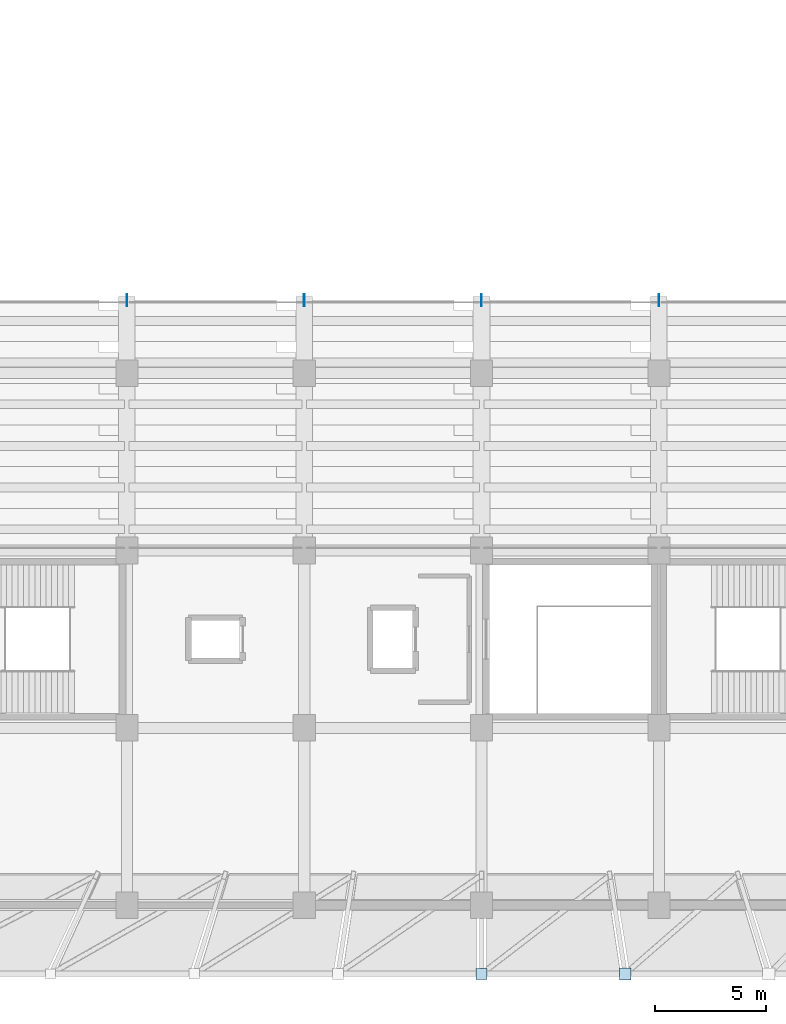
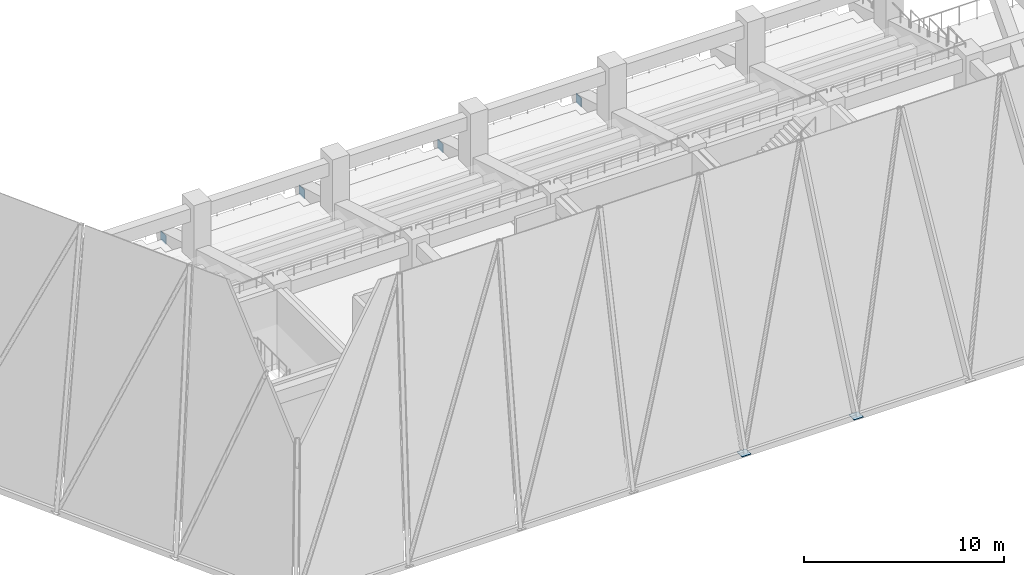
# One storey, part 8 of 24: 6 plates.
"""IFC4 building model written with IfcOpenShell, lengths in metres."""

from ifc_helpers import new_model, si_unit, direction, frame, origin, origin_2d, place, context, subcontext, project, spatial, rectangle, extrude, material, layer, layer_set, type_object, element, save


model = new_model("IFC4")

# Units and contexts
model_context = context("Model", 3, precision=1e-05, world=origin(), true_north=direction((0.0, 1.0)))
body_context = subcontext(model_context, "Body", "Model", "MODEL_VIEW")
ifc_project = project(units=[si_unit("LENGTHUNIT", "METRE"), si_unit("AREAUNIT", "SQUARE_METRE"), si_unit("VOLUMEUNIT", "CUBIC_METRE"), si_unit("PLANEANGLEUNIT", "RADIAN"), si_unit("MASSUNIT", "GRAM", prefix="KILO")], contexts=[model_context])

# Site, building, storey
site_placement = place(None, origin())
site = spatial("IfcSite", under=ifc_project, at=site_placement, CompositionType="ELEMENT")
building_placement = place(site_placement, origin())
building = spatial("IfcBuilding", under=site, at=building_placement, Name="Tazarka Park Arena", CompositionType="ELEMENT")
storey_placement = place(building_placement, frame((0.0, 0.0, 15.0)))
storey = spatial("IfcBuildingStorey", under=building, at=storey_placement, Name="L03", CompositionType="ELEMENT", Elevation=15.0)

# Plates
ifc_material_1 = material(Name="Steel S460", Category="steel")
ifc_layer_1 = layer(ifc_material_1, 0.031982421875, Name="Steel S460")
ifc_layer_set_1 = layer_set([ifc_layer_1], Name="Steel S460")
plate_type_1 = type_object("IfcPlateType", Name="PLT-PL-12", PredefinedType="USERDEFINED", material=ifc_layer_set_1)
for number, where, z_axis, x_axis, name in (
    (1, (72.0, 43.300048828125, 0.060546875), (0.0, 0.0, 1.0), (1.0, 0.0, 0.0), "RKP-S-09-2"),
    (2, (80.0, 43.300048828125, 0.060546875), (0.0, 0.0, 1.0), (1.0, 0.0, 0.0), "RKP-S-10-2"),
    (3, (88.0, 43.300048828125, 0.060546875), (0.0, 0.0, 1.0), (1.0, 0.0, 0.0), "RKP-S-11-2"),
    (4, (96.0, 43.300048828125, 0.060546875), (0.0, 0.0, 1.0), (1.0, 0.0, 0.0), "RKP-S-12-2"),
):
    element("IfcPlate", number, at=place(storey_placement, frame(where, z_axis=z_axis, x_axis=x_axis)), inside=storey, type_object=plate_type_1, Name=name, ObjectType="STIFFENER", PredefinedType="USERDEFINED", context=body_context, shape_type="SweptSolid", body=[
        extrude(rectangle(XDim=0.031982421875, YDim=0.5400390625, at=origin_2d()), origin(), (0.0, 0.0, 1.0), 0.5400390625),
    ])
ifc_material_2 = material(Name="Steel S460", Category="steel")
ifc_layer_2 = layer(ifc_material_2, 0.034912109375, Name="Steel S460")
ifc_layer_set_2 = layer_set([ifc_layer_2], Name="Steel S460")
plate_type_2 = type_object("IfcPlateType", Name="PLT-PL-19", PredefinedType="USERDEFINED", material=ifc_layer_set_2)
plate_1_placement = place(storey_placement, frame((88.0, 12.89990234375, -0.017578125), z_axis=(0.0, 0.0, 1.0), x_axis=(1.0, 0.0, 0.0)))
element("IfcPlate", 5, at=plate_1_placement, inside=storey, type_object=plate_type_2, Name="GMP-W-04", ObjectType="STIFFENER", PredefinedType="USERDEFINED", context=body_context, shape_type="SweptSolid", body=[
    extrude(rectangle(XDim=0.510009765625, YDim=0.510009765625, at=origin_2d()), origin(), (0.0, 0.0, 1.0), 0.034912109375),
])
ifc_material_3 = material(Name="Steel S460", Category="steel")
ifc_layer_3 = layer(ifc_material_3, 0.037109375, Name="Steel S460")
ifc_layer_set_3 = layer_set([ifc_layer_3], Name="Steel S460")
plate_type_3 = type_object("IfcPlateType", Name="PLT-PL-20", PredefinedType="USERDEFINED", material=ifc_layer_set_3)
plate_2_placement = place(storey_placement, frame((94.47900390625, 12.89990234375, -0.0185546875), z_axis=(0.0, 0.0, 1.0), x_axis=(1.0, 0.0, 0.0)))
element("IfcPlate", 6, at=plate_2_placement, inside=storey, type_object=plate_type_3, Name="GMP-W-05", ObjectType="STIFFENER", PredefinedType="USERDEFINED", context=body_context, shape_type="SweptSolid", body=[
    extrude(rectangle(XDim=0.530029296875, YDim=0.530029296875, at=origin_2d()), origin(), (0.0, 0.0, 1.0), 0.037109375),
])

save(model, "model.ifc")
